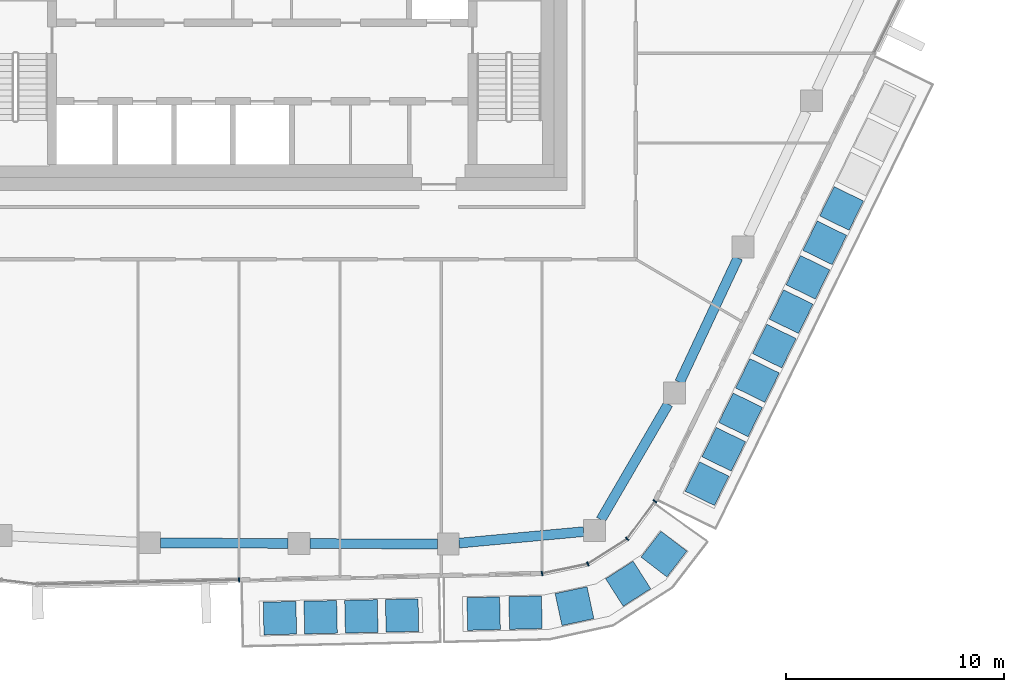
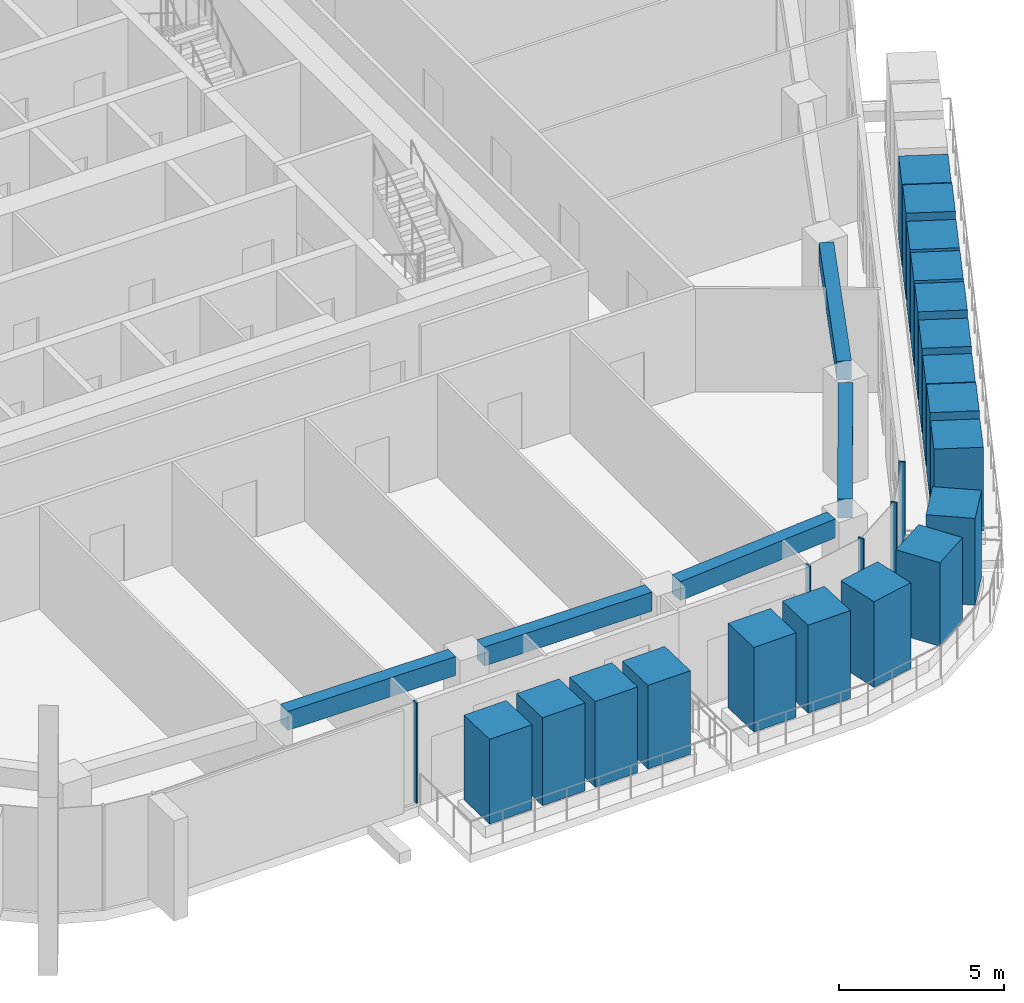
# One storey, part 4 of 24: 23 members, 5 beams, 2 elements without a shape of their own.
"""IFC4 building model written with IfcOpenShell, lengths in metres."""

from ifc_helpers import new_model, si_unit, direction, frame, origin, origin_2d, place, context, subcontext, project, spatial, rectangle, extrude, material, layer, layer_set, material_profile, profile_set, type_object, element, aggregate, save


model = new_model("IFC4")

# Units and contexts
model_context = context("Model", 3, precision=1e-05, world=origin(), true_north=direction((0.0, 1.0)))
body_context = subcontext(model_context, "Body", "Model", "MODEL_VIEW")
ifc_project = project(units=[si_unit("LENGTHUNIT", "METRE"), si_unit("AREAUNIT", "SQUARE_METRE"), si_unit("VOLUMEUNIT", "CUBIC_METRE"), si_unit("PLANEANGLEUNIT", "RADIAN"), si_unit("MASSUNIT", "GRAM", prefix="KILO")], contexts=[model_context])

# Site, building, storey
site_placement = place(None, origin())
site = spatial("IfcSite", under=ifc_project, at=site_placement, CompositionType="ELEMENT")
building_placement = place(site_placement, origin())
building = spatial("IfcBuilding", under=site, at=building_placement, Name="Dongbaek Canopy Tower", CompositionType="ELEMENT")
storey_placement = place(building_placement, frame((0.0, 0.0, 332.0)))
storey = spatial("IfcBuildingStorey", under=building, at=storey_placement, Name="L71", CompositionType="ELEMENT", Elevation=332.0)

# Curtain wall, member
ifc_material_1 = material(Name="Aluminium 6063-T6 pale anodised", Category="aluminium")
ifc_layer = layer(ifc_material_1, 0.199951171875)
ifc_layer_set = layer_set([ifc_layer], Name="CW-1 unitised tower curtain wall")
curtain_wall_type = type_object("IfcCurtainWallType", Name="CW-1 unitised tower curtain wall", PredefinedType="NOTDEFINED", material=ifc_layer_set)
curtain_wall_1_placement = place(storey_placement, origin())
curtain_wall_1 = element("IfcCurtainWall", 1, at=curtain_wall_1_placement, inside=storey, type_object=curtain_wall_type, Name="CW-1 curtain wall F4.1", PredefinedType="NOTDEFINED")
ifc_material_2 = material(Name="Aluminium 6063-T6 pale anodised", Category="aluminium")
ifc_material_profile_1 = material_profile(ifc_material_2, rectangle(XDim=0.199951171875, YDim=0.06005859375, at=origin_2d()), Name="CW-1 mullion 60 x 200")
ifc_profile_set_1 = profile_set([ifc_material_profile_1], Name="Aluminium 6063-T6 pale anodised")
member_type_1 = type_object("IfcMemberType", Name="CW-1 mullion 60 x 200", PredefinedType="MULLION", material=ifc_profile_set_1)
member_1_placement = place(storey_placement, frame((-1.06103515625, -28.872802734375, 0.1201171875), z_axis=(0.0, 0.0, 1.0), x_axis=(0.021675843976, -0.999765051294, 0.0)))
member_1 = element("IfcMember", 2, at=member_1_placement, type_object=member_type_1, Name="CW-1 mullion F4.1.3", PredefinedType="MULLION", context=body_context, shape_type="SweptSolid", body=[
    extrude(rectangle(XDim=0.199951171875, YDim=0.06005859375, at=origin_2d()), origin(), (0.0, 0.0, 1.0), 3.699951171875),
])
aggregate(curtain_wall_1, [member_1])

# Curtain wall, members
curtain_wall_2_placement = place(storey_placement, origin())
curtain_wall_2 = element("IfcCurtainWall", 3, at=curtain_wall_2_placement, inside=storey, type_object=curtain_wall_type, Name="CW-1 curtain wall K5.1", PredefinedType="NOTDEFINED")
member_2_placement = place(storey_placement, frame((12.842041015625, -28.5712890625, 0.0), z_axis=(0.0, 0.0, 1.0), x_axis=(0.20264074946, -0.979253147382, 0.0)))
member_2 = element("IfcMember", 4, at=member_2_placement, type_object=member_type_1, Name="CW-1 mullion K5.1.1", PredefinedType="MULLION", context=body_context, shape_type="SweptSolid", body=[
    extrude(rectangle(XDim=0.199951171875, YDim=0.06005859375, at=origin_2d()), origin(), (0.0, 0.0, 1.0), 3.820068359375),
])
member_3_placement = place(storey_placement, frame((14.9462890625, -28.1357421875, 0.0), z_axis=(0.0, 0.0, 1.0), x_axis=(0.376884256804, -0.926260361331, 0.0)))
member_3 = element("IfcMember", 5, at=member_3_placement, type_object=member_type_1, Name="CW-1 mullion K5.1.2", PredefinedType="MULLION", context=body_context, shape_type="SweptSolid", body=[
    extrude(rectangle(XDim=0.199951171875, YDim=0.06005859375, at=origin_2d()), origin(), (0.0, 0.0, 1.0), 3.820068359375),
])
member_4_placement = place(storey_placement, frame((16.7490234375, -26.9833984375, 0.0), z_axis=(0.0, 0.0, 1.0), x_axis=(0.682503763245, -0.730882078831, 0.0)))
member_4 = element("IfcMember", 6, at=member_4_placement, type_object=member_type_1, Name="CW-1 mullion K5.1.3", PredefinedType="MULLION", context=body_context, shape_type="SweptSolid", body=[
    extrude(rectangle(XDim=0.199951171875, YDim=0.06005859375, at=origin_2d()), origin(), (0.0, 0.0, 1.0), 3.820068359375),
])
member_5_placement = place(storey_placement, frame((18.02734375, -25.25634765625, 0.0), z_axis=(0.0, 0.0, 1.0), x_axis=(0.803742658172, -0.594977091521, 0.0)))
member_5 = element("IfcMember", 7, at=member_5_placement, type_object=member_type_1, Name="CW-1 mullion K5.1.4", PredefinedType="MULLION", context=body_context, shape_type="SweptSolid", body=[
    extrude(rectangle(XDim=0.199951171875, YDim=0.06005859375, at=origin_2d()), origin(), (0.0, 0.0, 1.0), 3.820068359375),
])
aggregate(curtain_wall_2, [member_2, member_3, member_4, member_5])

# Beams
ifc_material_3 = material(Name="Concrete C60", Category="concrete")
ifc_material_profile_2 = material_profile(ifc_material_3, rectangle(XDim=0.449951171875, YDim=0.699951171875, at=origin_2d()), Name="RC EDGE BEAM 450x700 C60")
ifc_profile_set_2 = profile_set([ifc_material_profile_2], Name="Concrete C60")
beam_type = type_object("IfcBeamType", Name="RC EDGE BEAM 450x700 C60", PredefinedType="BEAM", material=ifc_profile_set_2)
beam_1_placement = place(storey_placement, frame((14.751953125, -26.653076171875, 3.469970703125), z_axis=(-0.995766439544, -0.091919518479, 0.0), x_axis=(0.091919518479, -0.995766439544, 0.0)))
element("IfcBeam", 8, at=beam_1_placement, inside=storey, type_object=beam_type, Name="EDGEBEAM:L71:00", PredefinedType="BEAM", context=body_context, shape_type="SweptSolid", body=[
    extrude(rectangle(XDim=0.449951171875, YDim=0.699951171875, at=origin_2d()), origin(), (0.0, 0.0, 1.0), 5.742431640625),
])
beam_2_placement = place(storey_placement, frame((8.033935546875, -27.224853515625, 3.469970703125), z_axis=(-0.999990401851, 0.004381347473, 0.0), x_axis=(-0.004381347473, -0.999990401851, 0.0)))
element("IfcBeam", 9, at=beam_2_placement, inside=storey, type_object=beam_type, Name="EDGEBEAM:L71:01", PredefinedType="BEAM", context=body_context, shape_type="SweptSolid", body=[
    extrude(rectangle(XDim=0.449951171875, YDim=0.699951171875, at=origin_2d()), origin(), (0.0, 0.0, 1.0), 5.850830078125),
])
beam_3_placement = place(storey_placement, frame((1.18310546875, -27.19482421875, 3.469970703125), z_axis=(-0.999990396242, 0.004382627582, 0.0), x_axis=(-0.004382627582, -0.999990396242, 0.0)))
element("IfcBeam", 10, at=beam_3_placement, inside=storey, type_object=beam_type, Name="EDGEBEAM:L71:02", PredefinedType="BEAM", context=body_context, shape_type="SweptSolid", body=[
    extrude(rectangle(XDim=0.449951171875, YDim=0.699951171875, at=origin_2d()), origin(), (0.0, 0.0, 1.0), 5.84912109375),
])
beam_4_placement = place(storey_placement, frame((21.833740234375, -14.087890625, 3.469970703125), z_axis=(-0.424294949226, -0.905524044993, 0.0), x_axis=(0.905524044993, -0.424294949226, 0.0)))
element("IfcBeam", 11, at=beam_4_placement, inside=storey, type_object=beam_type, Name="EDGEBEAM:L71:24", PredefinedType="BEAM", context=body_context, shape_type="SweptSolid", body=[
    extrude(rectangle(XDim=0.449951171875, YDim=0.699951171875, at=origin_2d()), origin(), (0.0, 0.0, 1.0), 6.303466796875),
])
beam_5_placement = place(storey_placement, frame((18.634033203125, -20.7958984375, 3.469970703125), z_axis=(-0.503016078482, -0.864277053258, 0.0), x_axis=(0.864277053258, -0.503016078482, 0.0)))
element("IfcBeam", 12, at=beam_5_placement, inside=storey, type_object=beam_type, Name="EDGEBEAM:L71:25", PredefinedType="BEAM", context=body_context, shape_type="SweptSolid", body=[
    extrude(rectangle(XDim=0.449951171875, YDim=0.699951171875, at=origin_2d()), origin(), (0.0, 0.0, 1.0), 6.14501953125),
])

# Members
ifc_material_4 = material(Name="Concrete C40/50 planter mass with planting", Category="concrete")
ifc_material_profile_3 = material_profile(ifc_material_4, rectangle(XDim=1.5, YDim=1.5, at=origin_2d()), Name="Terrace PLANTER shrub mass 1500 x 1500")
ifc_profile_set_3 = profile_set([ifc_material_profile_3], Name="Concrete C40/50 planter mass with planting")
member_type_2 = type_object("IfcMemberType", Name="Terrace PLANTER shrub mass 1500 x 1500", PredefinedType="USERDEFINED", material=ifc_profile_set_3)
member_6_placement = place(storey_placement, frame((0.81201171875, -30.62255859375, 0.419921875), z_axis=(0.0, 0.0, 1.0), x_axis=(0.021675843976, -0.999765051294, 0.0)))
element("IfcMember", 13, at=member_6_placement, inside=storey, type_object=member_type_2, Name="Planter shrubs L71 4.1", ObjectType="PLANTER", PredefinedType="USERDEFINED", context=body_context, shape_type="SweptSolid", body=[
    extrude(rectangle(XDim=1.5, YDim=1.5, at=origin_2d()), origin(), (0.0, 0.0, 1.0), 3.130126953125),
])
member_7_placement = place(storey_placement, frame((2.6806640625, -30.58203125, 0.419921875), z_axis=(0.0, 0.0, 1.0), x_axis=(0.021675843976, -0.999765051294, 0.0)))
element("IfcMember", 14, at=member_7_placement, inside=storey, type_object=member_type_2, Name="Planter shrubs L71 4.2", ObjectType="PLANTER", PredefinedType="USERDEFINED", context=body_context, shape_type="SweptSolid", body=[
    extrude(rectangle(XDim=1.5, YDim=1.5, at=origin_2d()), origin(), (0.0, 0.0, 1.0), 3.25),
])
member_8_placement = place(storey_placement, frame((4.549560546875, -30.54150390625, 0.419921875), z_axis=(0.0, 0.0, 1.0), x_axis=(0.021675843976, -0.999765051294, 0.0)))
element("IfcMember", 15, at=member_8_placement, inside=storey, type_object=member_type_2, Name="Planter shrubs L71 4.3", ObjectType="PLANTER", PredefinedType="USERDEFINED", context=body_context, shape_type="SweptSolid", body=[
    extrude(rectangle(XDim=1.5, YDim=1.5, at=origin_2d()), origin(), (0.0, 0.0, 1.0), 3.170166015625),
])
member_9_placement = place(storey_placement, frame((6.41845703125, -30.5009765625, 0.419921875), z_axis=(0.0, 0.0, 1.0), x_axis=(0.021675843976, -0.999765051294, 0.0)))
element("IfcMember", 16, at=member_9_placement, inside=storey, type_object=member_type_2, Name="Planter shrubs L71 4.4", ObjectType="PLANTER", PredefinedType="USERDEFINED", context=body_context, shape_type="SweptSolid", body=[
    extrude(rectangle(XDim=1.5, YDim=1.5, at=origin_2d()), origin(), (0.0, 0.0, 1.0), 3.090087890625),
])
member_10_placement = place(storey_placement, frame((10.16259765625, -30.41796875, 0.419921875), z_axis=(0.0, 0.0, 1.0), x_axis=(0.023502753283, -0.999723772143, 0.0)))
element("IfcMember", 17, at=member_10_placement, inside=storey, type_object=member_type_2, Name="Planter shrubs L71 8.1", ObjectType="PLANTER", PredefinedType="USERDEFINED", context=body_context, shape_type="SweptSolid", body=[
    extrude(rectangle(XDim=1.5, YDim=1.5, at=origin_2d()), origin(), (0.0, 0.0, 1.0), 3.130126953125),
])
member_11_placement = place(storey_placement, frame((12.08349609375, -30.372802734375, 0.419921875), z_axis=(0.0, 0.0, 1.0), x_axis=(0.023502753283, -0.999723772143, 0.0)))
element("IfcMember", 18, at=member_11_placement, inside=storey, type_object=member_type_2, Name="Planter shrubs L71 8.2", ObjectType="PLANTER", PredefinedType="USERDEFINED", context=body_context, shape_type="SweptSolid", body=[
    extrude(rectangle(XDim=1.5, YDim=1.5, at=origin_2d()), origin(), (0.0, 0.0, 1.0), 3.25),
])
member_12_placement = place(storey_placement, frame((14.332763671875, -30.07275390625, 0.419921875), z_axis=(0.0, 0.0, 1.0), x_axis=(0.210435348732, -0.977607776158, 0.0)))
element("IfcMember", 19, at=member_12_placement, inside=storey, type_object=member_type_2, Name="Planter shrubs L71 8.3", ObjectType="PLANTER", PredefinedType="USERDEFINED", context=body_context, shape_type="SweptSolid", body=[
    extrude(rectangle(XDim=1.5, YDim=1.5, at=origin_2d()), origin(), (0.0, 0.0, 1.0), 3.170166015625),
])
member_13_placement = place(storey_placement, frame((16.796630859375, -29.044189453125, 0.419921875), z_axis=(0.0, 0.0, 1.0), x_axis=(0.538626876944, -0.842544412737, 0.0)))
element("IfcMember", 20, at=member_13_placement, inside=storey, type_object=member_type_2, Name="Planter shrubs L71 8.4", ObjectType="PLANTER", PredefinedType="USERDEFINED", context=body_context, shape_type="SweptSolid", body=[
    extrude(rectangle(XDim=1.5, YDim=1.5, at=origin_2d()), origin(), (0.0, 0.0, 1.0), 3.090087890625),
])
member_14_placement = place(storey_placement, frame((18.43896484375, -27.685302734375, 0.419921875), z_axis=(0.0, 0.0, 1.0), x_axis=(0.792731588939, -0.60957085552, 0.0)))
element("IfcMember", 21, at=member_14_placement, inside=storey, type_object=member_type_2, Name="Planter shrubs L71 8.5", ObjectType="PLANTER", PredefinedType="USERDEFINED", context=body_context, shape_type="SweptSolid", body=[
    extrude(rectangle(XDim=1.5, YDim=1.5, at=origin_2d()), origin(), (0.0, 0.0, 1.0), 3.2099609375),
])
member_15_placement = place(storey_placement, frame((20.4130859375, -24.452880859375, 0.419921875), z_axis=(0.0, 0.0, 1.0), x_axis=(0.89832218457, -0.439337288093, 0.0)))
element("IfcMember", 22, at=member_15_placement, inside=storey, type_object=member_type_2, Name="Planter shrubs L71 5.1", ObjectType="PLANTER", PredefinedType="USERDEFINED", context=body_context, shape_type="SweptSolid", body=[
    extrude(rectangle(XDim=1.5, YDim=1.5, at=origin_2d()), origin(), (0.0, 0.0, 1.0), 3.090087890625),
])
member_16_placement = place(storey_placement, frame((21.185302734375, -22.87353515625, 0.419921875), z_axis=(0.0, 0.0, 1.0), x_axis=(0.89832218457, -0.439337288093, 0.0)))
element("IfcMember", 23, at=member_16_placement, inside=storey, type_object=member_type_2, Name="Planter shrubs L71 5.2", ObjectType="PLANTER", PredefinedType="USERDEFINED", context=body_context, shape_type="SweptSolid", body=[
    extrude(rectangle(XDim=1.5, YDim=1.5, at=origin_2d()), origin(), (0.0, 0.0, 1.0), 3.2099609375),
])
member_17_placement = place(storey_placement, frame((21.957763671875, -21.29443359375, 0.419921875), z_axis=(0.0, 0.0, 1.0), x_axis=(0.89832218457, -0.439337288093, 0.0)))
element("IfcMember", 24, at=member_17_placement, inside=storey, type_object=member_type_2, Name="Planter shrubs L71 5.3", ObjectType="PLANTER", PredefinedType="USERDEFINED", context=body_context, shape_type="SweptSolid", body=[
    extrude(rectangle(XDim=1.5, YDim=1.5, at=origin_2d()), origin(), (0.0, 0.0, 1.0), 3.050048828125),
])
member_18_placement = place(storey_placement, frame((22.72998046875, -19.715087890625, 0.419921875), z_axis=(0.0, 0.0, 1.0), x_axis=(0.89832218457, -0.439337288093, 0.0)))
element("IfcMember", 25, at=member_18_placement, inside=storey, type_object=member_type_2, Name="Planter shrubs L71 5.4", ObjectType="PLANTER", PredefinedType="USERDEFINED", context=body_context, shape_type="SweptSolid", body=[
    extrude(rectangle(XDim=1.5, YDim=1.5, at=origin_2d()), origin(), (0.0, 0.0, 1.0), 3.130126953125),
])
member_19_placement = place(storey_placement, frame((23.50244140625, -18.1357421875, 0.419921875), z_axis=(0.0, 0.0, 1.0), x_axis=(0.89832218457, -0.439337288093, 0.0)))
element("IfcMember", 26, at=member_19_placement, inside=storey, type_object=member_type_2, Name="Planter shrubs L71 5.5", ObjectType="PLANTER", PredefinedType="USERDEFINED", context=body_context, shape_type="SweptSolid", body=[
    extrude(rectangle(XDim=1.5, YDim=1.5, at=origin_2d()), origin(), (0.0, 0.0, 1.0), 3.25),
])
member_20_placement = place(storey_placement, frame((24.27490234375, -16.556396484375, 0.419921875), z_axis=(0.0, 0.0, 1.0), x_axis=(0.89832218457, -0.439337288093, 0.0)))
element("IfcMember", 27, at=member_20_placement, inside=storey, type_object=member_type_2, Name="Planter shrubs L71 5.6", ObjectType="PLANTER", PredefinedType="USERDEFINED", context=body_context, shape_type="SweptSolid", body=[
    extrude(rectangle(XDim=1.5, YDim=1.5, at=origin_2d()), origin(), (0.0, 0.0, 1.0), 3.170166015625),
])
member_21_placement = place(storey_placement, frame((25.047119140625, -14.977294921875, 0.419921875), z_axis=(0.0, 0.0, 1.0), x_axis=(0.89832218457, -0.439337288093, 0.0)))
element("IfcMember", 28, at=member_21_placement, inside=storey, type_object=member_type_2, Name="Planter shrubs L71 5.7", ObjectType="PLANTER", PredefinedType="USERDEFINED", context=body_context, shape_type="SweptSolid", body=[
    extrude(rectangle(XDim=1.5, YDim=1.5, at=origin_2d()), origin(), (0.0, 0.0, 1.0), 3.090087890625),
])
member_22_placement = place(storey_placement, frame((25.819580078125, -13.39794921875, 0.419921875), z_axis=(0.0, 0.0, 1.0), x_axis=(0.89832218457, -0.439337288093, 0.0)))
element("IfcMember", 29, at=member_22_placement, inside=storey, type_object=member_type_2, Name="Planter shrubs L71 5.8", ObjectType="PLANTER", PredefinedType="USERDEFINED", context=body_context, shape_type="SweptSolid", body=[
    extrude(rectangle(XDim=1.5, YDim=1.5, at=origin_2d()), origin(), (0.0, 0.0, 1.0), 3.2099609375),
])
member_23_placement = place(storey_placement, frame((26.591796875, -11.818603515625, 0.419921875), z_axis=(0.0, 0.0, 1.0), x_axis=(0.89832218457, -0.439337288093, 0.0)))
element("IfcMember", 30, at=member_23_placement, inside=storey, type_object=member_type_2, Name="Planter shrubs L71 5.9", ObjectType="PLANTER", PredefinedType="USERDEFINED", context=body_context, shape_type="SweptSolid", body=[
    extrude(rectangle(XDim=1.5, YDim=1.5, at=origin_2d()), origin(), (0.0, 0.0, 1.0), 3.050048828125),
])

save(model, "model.ifc")
